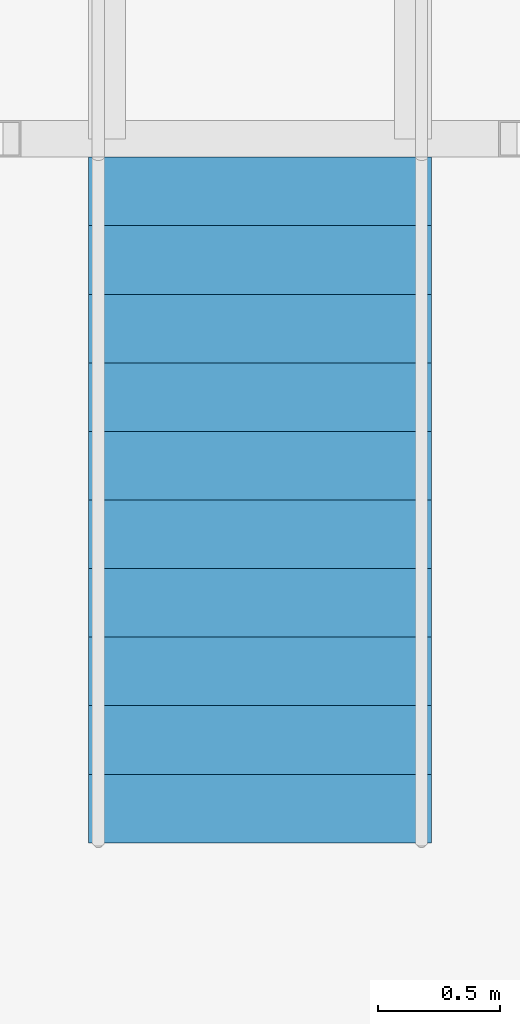
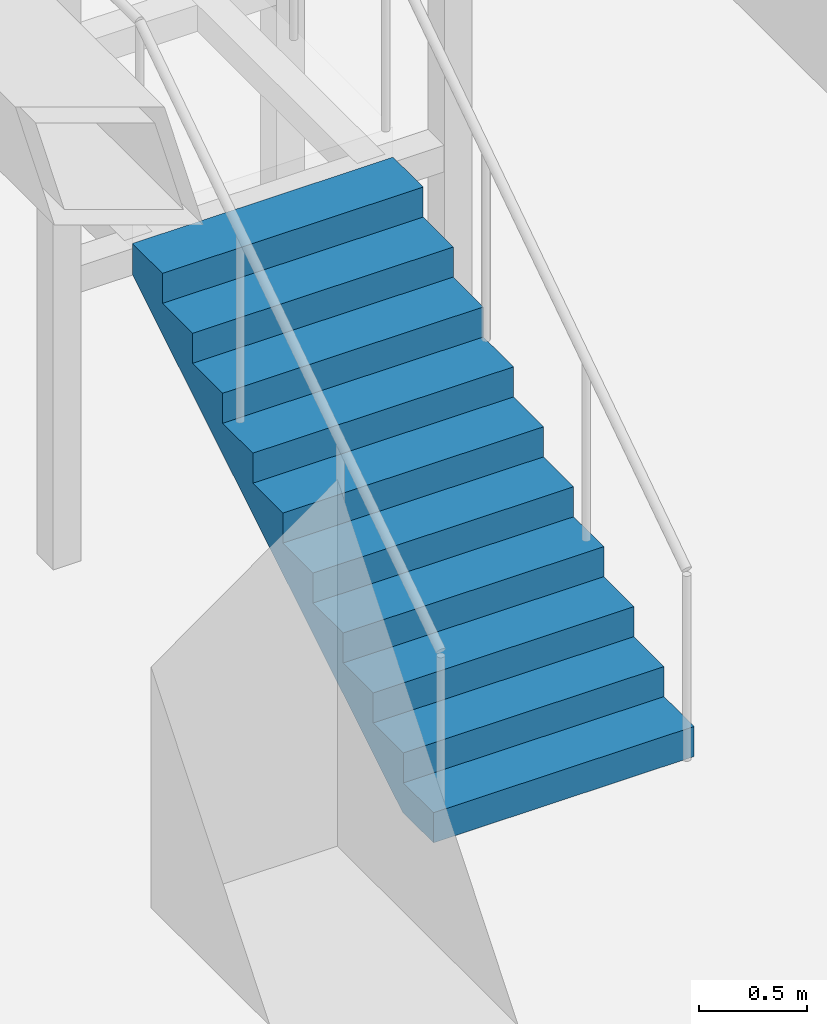
# One storey, part 24 of 26: 1 stair flight, 1 element without a shape of its own.
"""IFC4 building model written with IfcOpenShell, lengths in metres."""

from ifc_helpers import new_model, si_unit, direction, frame, origin, place, context, subcontext, project, spatial, triangles, material, type_object, element, aggregate, save


model = new_model("IFC4")

# Units and contexts
model_context = context("Model", 3, precision=1e-05, world=origin(), true_north=direction((0.0, 1.0)))
body_context = subcontext(model_context, "Body", "Model", "MODEL_VIEW")
ifc_project = project(units=[si_unit("LENGTHUNIT", "METRE"), si_unit("AREAUNIT", "SQUARE_METRE"), si_unit("VOLUMEUNIT", "CUBIC_METRE"), si_unit("PLANEANGLEUNIT", "RADIAN"), si_unit("MASSUNIT", "GRAM", prefix="KILO")], contexts=[model_context])

# Site, building, storey
site_placement = place(None, origin())
site = spatial("IfcSite", under=ifc_project, at=site_placement, CompositionType="ELEMENT")
building_placement = place(site_placement, origin())
building = spatial("IfcBuilding", under=site, at=building_placement, Name="Orbita Commons", CompositionType="ELEMENT")
storey_placement = place(building_placement, frame((0.0, 0.0, 114.39990234375)))
storey = spatial("IfcBuildingStorey", under=building, at=storey_placement, Name="L28", CompositionType="ELEMENT", Elevation=114.39990234375)

# Stair, stair flight
ifc_material_1 = material(Name="Steel ASTM A992 stringers, precast concrete C40/50 terrazzo treads", Category="concrete")
stair_type = type_object("IfcStairType", Name="Feature stair 22 risers 170 x 280 x 1400", PredefinedType="STRAIGHT_RUN_STAIR", material=ifc_material_1)
stair_placement = place(storey_placement, origin())
stair = element("IfcStair", 1, at=stair_placement, inside=storey, type_object=stair_type, Name="Neighbourhood stair L28 to L29", PredefinedType="STRAIGHT_RUN_STAIR")
ifc_material_2 = material(Name="Steel ASTM A992 stringers, precast concrete C40/50 terrazzo treads", Category="concrete")
stair_flight_type = type_object("IfcStairFlightType", Name="Feature stair flight 11 risers 170 x 1400", PredefinedType="STRAIGHT", material=ifc_material_2)
stair_flight_placement = place(storey_placement, frame((7.60009765625, 40.5, 0.0), z_axis=(0.0, 0.0, 1.0), x_axis=(0.0, 1.0, 0.0)))
stair_flight = element("IfcStairFlight", 2, at=stair_flight_placement, type_object=stair_flight_type, Name="FS flight 1", NumberOfRisers=11, NumberOfTreads=10, PredefinedType="STRAIGHT", RiserHeight=0.170454545, TreadLength=0.28, context=body_context, shape_type="Tessellation", body=[
    triangles([(0.0, 0.699951, 0.0), (0.0, 0.699951, 0.021307), (0.0, 0.583293, 0.021307), (0.0, 0.583293, 0.0), (0.0, 0.466634, 0.021307), (0.0, 0.466634, 0.0), (0.0, 0.349976, 0.021307), (0.0, 0.349976, 0.0), (0.0, 0.233317, 0.021307), (0.0, 0.233317, 0.0), (0.0, 0.116659, 0.021307), (0.0, 0.116659, 0.0), (0.0, 0.0, 0.021307), (0.0, 0.0, 0.0), (0.0, -0.116659, 0.021307), (0.0, -0.116659, 0.0), (0.0, -0.233317, 0.021307), (0.0, -0.233317, 0.0), (0.0, -0.349976, 0.021307), (0.0, -0.349976, 0.0), (0.0, -0.466634, 0.021307), (0.0, -0.466634, 0.0), (0.0, -0.583293, 0.021307), (0.0, -0.583293, 0.0), (0.0, -0.699951, 0.021307), (0.0, -0.699951, 0.0), (0.0, 0.699951, 0.042614), (0.0, 0.583293, 0.042614), (0.0, 0.466634, 0.042614), (0.0, 0.349976, 0.042614), (0.0, 0.233317, 0.042614), (0.0, 0.116659, 0.042614), (0.0, 0.0, 0.042614), (0.0, -0.116659, 0.042614), (0.0, -0.233317, 0.042614), (0.0, -0.349976, 0.042614), (0.0, -0.466634, 0.042614), (0.0, -0.583293, 0.042614), (0.0, -0.699951, 0.042614), (0.0, 0.699951, 0.06392), (0.0, 0.583293, 0.06392), (0.0, 0.466634, 0.06392), (0.0, 0.349976, 0.06392), (0.0, 0.233317, 0.06392), (0.0, 0.116659, 0.06392), (0.0, 0.0, 0.06392), (0.0, -0.116659, 0.06392), (0.0, -0.233317, 0.06392), (0.0, -0.349976, 0.06392), (0.0, -0.466634, 0.06392), (0.0, -0.583293, 0.06392), (0.0, -0.699951, 0.06392), (0.0, 0.699951, 0.085227), (0.0, 0.583293, 0.085227), (0.0, 0.466634, 0.085227), (0.0, 0.349976, 0.085227), (0.0, 0.233317, 0.085227), (0.0, 0.116659, 0.085227), (0.0, 0.0, 0.085227), (0.0, -0.116659, 0.085227), (0.0, -0.233317, 0.085227), (0.0, -0.349976, 0.085227), (0.0, -0.466634, 0.085227), (0.0, -0.583293, 0.085227), (0.0, -0.699951, 0.085227), (0.0, 0.699951, 0.106534), (0.0, 0.583293, 0.106534), (0.0, 0.466634, 0.106534), (0.0, 0.349976, 0.106534), (0.0, 0.233317, 0.106534), (0.0, 0.116659, 0.106534), (0.0, 0.0, 0.106534), (0.0, -0.116659, 0.106534), (0.0, -0.233317, 0.106534), (0.0, -0.349976, 0.106534), (0.0, -0.466634, 0.106534), (0.0, -0.583293, 0.106534), (0.0, -0.699951, 0.106534), (0.0, 0.699951, 0.127841), (0.0, 0.583293, 0.127841), (0.0, 0.466634, 0.127841), (0.0, 0.349976, 0.127841), (0.0, 0.233317, 0.127841), (0.0, 0.116659, 0.127841), (0.0, 0.0, 0.127841), (0.0, -0.116659, 0.127841), (0.0, -0.233317, 0.127841), (0.0, -0.349976, 0.127841), (0.0, -0.466634, 0.127841), (0.0, -0.583293, 0.127841), (0.0, -0.699951, 0.127841), (0.0, 0.699951, 0.149148), (0.0, 0.583293, 0.149148), (0.0, 0.466634, 0.149148), (0.0, 0.349976, 0.149148), (0.0, 0.233317, 0.149148), (0.0, 0.116659, 0.149148), (0.0, 0.0, 0.149148), (0.0, -0.116659, 0.149148), (0.0, -0.233317, 0.149148), (0.0, -0.349976, 0.149148), (0.0, -0.466634, 0.149148), (0.0, -0.583293, 0.149148), (0.0, -0.699951, 0.149148), (0.0, 0.699951, 0.170455), (0.0, 0.583293, 0.170455), (0.0, 0.466634, 0.170455), (0.0, 0.349976, 0.170455), (0.0, 0.233317, 0.170455), (0.0, 0.116659, 0.170455), (0.0, 0.0, 0.170455), (0.0, -0.116659, 0.170455), (0.0, -0.233317, 0.170455), (0.0, -0.349976, 0.170455), (0.0, -0.466634, 0.170455), (0.0, -0.583293, 0.170455), (0.0, -0.699951, 0.170455), (0.28, 0.699951, 0.170455), (0.28, 0.583293, 0.170455), (0.28, 0.466634, 0.170455), (0.28, 0.349976, 0.170455), (0.28, 0.233317, 0.170455), (0.28, 0.116659, 0.170455), (0.28, 0.0, 0.170455), (0.28, -0.116659, 0.170455), (0.28, -0.233317, 0.170455), (0.28, -0.349976, 0.170455), (0.28, -0.466634, 0.170455), (0.28, -0.583293, 0.170455), (0.28, -0.699951, 0.170455), (0.28, 0.699951, 0.340909), (0.28, 0.583293, 0.340909), (0.28, 0.466634, 0.340909), (0.28, 0.349976, 0.340909), (0.28, 0.233317, 0.340909), (0.28, 0.116659, 0.340909), (0.28, 0.0, 0.340909), (0.28, -0.116659, 0.340909), (0.28, -0.233317, 0.340909), (0.28, -0.349976, 0.340909), (0.28, -0.466634, 0.340909), (0.28, -0.583293, 0.340909), (0.28, -0.699951, 0.340909), (0.56, 0.699951, 0.340909), (0.56, 0.583293, 0.340909), (0.56, 0.466634, 0.340909), (0.56, 0.349976, 0.340909), (0.56, 0.233317, 0.340909), (0.56, 0.116659, 0.340909), (0.56, 0.0, 0.340909), (0.56, -0.116659, 0.340909), (0.56, -0.233317, 0.340909), (0.56, -0.349976, 0.340909), (0.56, -0.466634, 0.340909), (0.56, -0.583293, 0.340909), (0.56, -0.699951, 0.340909), (0.56, 0.699951, 0.511364), (0.56, 0.583293, 0.511364), (0.56, 0.466634, 0.511364), (0.56, 0.349976, 0.511364), (0.56, 0.233317, 0.511364), (0.56, 0.116659, 0.511364), (0.56, 0.0, 0.511364), (0.56, -0.116659, 0.511364), (0.56, -0.233317, 0.511364), (0.56, -0.349976, 0.511364), (0.56, -0.466634, 0.511364), (0.56, -0.583293, 0.511364), (0.56, -0.699951, 0.511364), (0.84, 0.699951, 0.511364), (0.84, 0.583293, 0.511364), (0.84, 0.466634, 0.511364), (0.84, 0.349976, 0.511364), (0.84, 0.233317, 0.511364), (0.84, 0.116659, 0.511364), (0.84, 0.0, 0.511364), (0.84, -0.116659, 0.511364), (0.84, -0.233317, 0.511364), (0.84, -0.349976, 0.511364), (0.84, -0.466634, 0.511364), (0.84, -0.583293, 0.511364), (0.84, -0.699951, 0.511364), (0.84, 0.699951, 0.681818), (0.84, 0.583293, 0.681818), (0.84, 0.466634, 0.681818), (0.84, 0.349976, 0.681818), (0.84, 0.233317, 0.681818), (0.84, 0.116659, 0.681818), (0.84, 0.0, 0.681818), (0.84, -0.116659, 0.681818), (0.84, -0.233317, 0.681818), (0.84, -0.349976, 0.681818), (0.84, -0.466634, 0.681818), (0.84, -0.583293, 0.681818), (0.84, -0.699951, 0.681818), (1.12, 0.699951, 0.681818), (1.12, 0.583293, 0.681818), (1.12, 0.466634, 0.681818), (1.12, 0.349976, 0.681818), (1.12, 0.233317, 0.681818), (1.12, 0.116659, 0.681818), (1.12, 0.0, 0.681818), (1.12, -0.116659, 0.681818), (1.12, -0.233317, 0.681818), (1.12, -0.349976, 0.681818), (1.12, -0.466634, 0.681818), (1.12, -0.583293, 0.681818), (1.12, -0.699951, 0.681818), (1.12, 0.699951, 0.852273), (1.12, 0.583293, 0.852273), (1.12, 0.466634, 0.852273), (1.12, 0.349976, 0.852273), (1.12, 0.233317, 0.852273), (1.12, 0.116659, 0.852273), (1.12, 0.0, 0.852273), (1.12, -0.116659, 0.852273), (1.12, -0.233317, 0.852273), (1.12, -0.349976, 0.852273), (1.12, -0.466634, 0.852273), (1.12, -0.583293, 0.852273), (1.12, -0.699951, 0.852273), (1.4, 0.699951, 0.852273), (1.4, 0.583293, 0.852273), (1.4, 0.466634, 0.852273), (1.4, 0.349976, 0.852273), (1.4, 0.233317, 0.852273), (1.4, 0.116659, 0.852273), (1.4, 0.0, 0.852273), (1.4, -0.116659, 0.852273), (1.4, -0.233317, 0.852273), (1.4, -0.349976, 0.852273), (1.4, -0.466634, 0.852273), (1.4, -0.583293, 0.852273), (1.4, -0.699951, 0.852273), (1.4, 0.699951, 1.022727), (1.4, 0.583293, 1.022727), (1.4, 0.466634, 1.022727), (1.4, 0.349976, 1.022727), (1.4, 0.233317, 1.022727), (1.4, 0.116659, 1.022727), (1.4, 0.0, 1.022727), (1.4, -0.116659, 1.022727), (1.4, -0.233317, 1.022727), (1.4, -0.349976, 1.022727), (1.4, -0.466634, 1.022727), (1.4, -0.583293, 1.022727), (1.4, -0.699951, 1.022727), (1.68, 0.699951, 1.022727), (1.68, 0.583293, 1.022727), (1.68, 0.466634, 1.022727), (1.68, 0.349976, 1.022727), (1.68, 0.233317, 1.022727), (1.68, 0.116659, 1.022727), (1.68, 0.0, 1.022727), (1.68, -0.116659, 1.022727), (1.68, -0.233317, 1.022727), (1.68, -0.349976, 1.022727), (1.68, -0.466634, 1.022727), (1.68, -0.583293, 1.022727), (1.68, -0.699951, 1.022727), (1.68, 0.699951, 1.193182), (1.68, 0.583293, 1.193182), (1.68, 0.466634, 1.193182), (1.68, 0.349976, 1.193182), (1.68, 0.233317, 1.193182), (1.68, 0.116659, 1.193182), (1.68, 0.0, 1.193182), (1.68, -0.116659, 1.193182), (1.68, -0.233317, 1.193182), (1.68, -0.349976, 1.193182), (1.68, -0.466634, 1.193182), (1.68, -0.583293, 1.193182), (1.68, -0.699951, 1.193182), (1.96, 0.699951, 1.193182), (1.96, 0.583293, 1.193182), (1.96, 0.466634, 1.193182), (1.96, 0.349976, 1.193182), (1.96, 0.233317, 1.193182), (1.96, 0.116659, 1.193182), (1.96, 0.0, 1.193182), (1.96, -0.116659, 1.193182), (1.96, -0.233317, 1.193182), (1.96, -0.349976, 1.193182), (1.96, -0.466634, 1.193182), (1.96, -0.583293, 1.193182), (1.96, -0.699951, 1.193182), (1.96, 0.699951, 1.363636), (1.96, 0.583293, 1.363636), (1.96, 0.466634, 1.363636), (1.96, 0.349976, 1.363636), (1.96, 0.233317, 1.363636), (1.96, 0.116659, 1.363636), (1.96, 0.0, 1.363636), (1.96, -0.116659, 1.363636), (1.96, -0.233317, 1.363636), (1.96, -0.349976, 1.363636), (1.96, -0.466634, 1.363636), (1.96, -0.583293, 1.363636), (1.96, -0.699951, 1.363636), (2.24, 0.699951, 1.363636), (2.24, 0.583293, 1.363636), (2.24, 0.466634, 1.363636), (2.24, 0.349976, 1.363636), (2.24, 0.233317, 1.363636), (2.24, 0.116659, 1.363636), (2.24, 0.0, 1.363636), (2.24, -0.116659, 1.363636), (2.24, -0.233317, 1.363636), (2.24, -0.349976, 1.363636), (2.24, -0.466634, 1.363636), (2.24, -0.583293, 1.363636), (2.24, -0.699951, 1.363636), (2.24, 0.699951, 1.534091), (2.24, 0.583293, 1.534091), (2.24, 0.466634, 1.534091), (2.24, 0.349976, 1.534091), (2.24, 0.233317, 1.534091), (2.24, 0.116659, 1.534091), (2.24, 0.0, 1.534091), (2.24, -0.116659, 1.534091), (2.24, -0.233317, 1.534091), (2.24, -0.349976, 1.534091), (2.24, -0.466634, 1.534091), (2.24, -0.583293, 1.534091), (2.24, -0.699951, 1.534091), (2.52, 0.699951, 1.534091), (2.52, 0.583293, 1.534091), (2.52, 0.466634, 1.534091), (2.52, 0.349976, 1.534091), (2.52, 0.233317, 1.534091), (2.52, 0.116659, 1.534091), (2.52, 0.0, 1.534091), (2.52, -0.116659, 1.534091), (2.52, -0.233317, 1.534091), (2.52, -0.349976, 1.534091), (2.52, -0.466634, 1.534091), (2.52, -0.583293, 1.534091), (2.52, -0.699951, 1.534091), (2.52, 0.699951, 1.704545), (2.52, 0.583293, 1.704545), (2.52, 0.466634, 1.704545), (2.52, 0.349976, 1.704545), (2.52, 0.233317, 1.704545), (2.52, 0.116659, 1.704545), (2.52, 0.0, 1.704545), (2.52, -0.116659, 1.704545), (2.52, -0.233317, 1.704545), (2.52, -0.349976, 1.704545), (2.52, -0.466634, 1.704545), (2.52, -0.583293, 1.704545), (2.52, -0.699951, 1.704545), (2.8, 0.699951, 1.704545), (2.8, 0.583293, 1.704545), (2.8, 0.466634, 1.704545), (2.8, 0.349976, 1.704545), (2.8, 0.233317, 1.704545), (2.8, 0.116659, 1.704545), (2.8, 0.0, 1.704545), (2.8, -0.116659, 1.704545), (2.8, -0.233317, 1.704545), (2.8, -0.349976, 1.704545), (2.8, -0.466634, 1.704545), (2.8, -0.583293, 1.704545), (2.8, -0.699951, 1.704545), (2.8, 0.699951, 1.682609), (2.8, 0.583293, 1.682609), (2.8, 0.466634, 1.682609), (2.8, 0.349976, 1.682609), (2.8, 0.233317, 1.682609), (2.8, 0.116659, 1.682609), (2.8, 0.0, 1.682609), (2.8, -0.116659, 1.682609), (2.8, -0.233317, 1.682609), (2.8, -0.349976, 1.682609), (2.8, -0.466634, 1.682609), (2.8, -0.583293, 1.682609), (2.8, -0.699951, 1.682609), (2.8, 0.699951, 1.660672), (2.8, 0.583293, 1.660672), (2.8, 0.466634, 1.660672), (2.8, 0.349976, 1.660672), (2.8, 0.233317, 1.660672), (2.8, 0.116659, 1.660672), (2.8, 0.0, 1.660672), (2.8, -0.116659, 1.660672), (2.8, -0.233317, 1.660672), (2.8, -0.349976, 1.660672), (2.8, -0.466634, 1.660672), (2.8, -0.583293, 1.660672), (2.8, -0.699951, 1.660672), (2.8, 0.699951, 1.638735), (2.8, 0.583293, 1.638735), (2.8, 0.466634, 1.638735), (2.8, 0.349976, 1.638735), (2.8, 0.233317, 1.638735), (2.8, 0.116659, 1.638735), (2.8, 0.0, 1.638735), (2.8, -0.116659, 1.638735), (2.8, -0.233317, 1.638735), (2.8, -0.349976, 1.638735), (2.8, -0.466634, 1.638735), (2.8, -0.583293, 1.638735), (2.8, -0.699951, 1.638735), (2.8, 0.699951, 1.616798), (2.8, 0.583293, 1.616798), (2.8, 0.466634, 1.616798), (2.8, 0.349976, 1.616798), (2.8, 0.233317, 1.616798), (2.8, 0.116659, 1.616798), (2.8, 0.0, 1.616798), (2.8, -0.116659, 1.616798), (2.8, -0.233317, 1.616798), (2.8, -0.349976, 1.616798), (2.8, -0.466634, 1.616798), (2.8, -0.583293, 1.616798), (2.8, -0.699951, 1.616798), (2.8, 0.699951, 1.594861), (2.8, 0.583293, 1.594861), (2.8, 0.466634, 1.594861), (2.8, 0.349976, 1.594861), (2.8, 0.233317, 1.594861), (2.8, 0.116659, 1.594861), (2.8, 0.0, 1.594861), (2.8, -0.116659, 1.594861), (2.8, -0.233317, 1.594861), (2.8, -0.349976, 1.594861), (2.8, -0.466634, 1.594861), (2.8, -0.583293, 1.594861), (2.8, -0.699951, 1.594861), (2.8, 0.699951, 1.572925), (2.8, 0.583293, 1.572925), (2.8, 0.466634, 1.572925), (2.8, 0.349976, 1.572925), (2.8, 0.233317, 1.572925), (2.8, 0.116659, 1.572925), (2.8, 0.0, 1.572925), (2.8, -0.116659, 1.572925), (2.8, -0.233317, 1.572925), (2.8, -0.349976, 1.572925), (2.8, -0.466634, 1.572925), (2.8, -0.583293, 1.572925), (2.8, -0.699951, 1.572925), (2.8, 0.699951, 1.550988), (2.8, 0.583293, 1.550988), (2.8, 0.466634, 1.550988), (2.8, 0.349976, 1.550988), (2.8, 0.233317, 1.550988), (2.8, 0.116659, 1.550988), (2.8, 0.0, 1.550988), (2.8, -0.116659, 1.550988), (2.8, -0.233317, 1.550988), (2.8, -0.349976, 1.550988), (2.8, -0.466634, 1.550988), (2.8, -0.583293, 1.550988), (2.8, -0.699951, 1.550988), (2.8, 0.699951, 1.529051), (2.8, 0.583293, 1.529051), (2.8, 0.466634, 1.529051), (2.8, 0.349976, 1.529051), (2.8, 0.233317, 1.529051), (2.8, 0.116659, 1.529051), (2.8, 0.0, 1.529051), (2.8, -0.116659, 1.529051), (2.8, -0.233317, 1.529051), (2.8, -0.349976, 1.529051), (2.8, -0.466634, 1.529051), (2.8, -0.583293, 1.529051), (2.8, -0.699951, 1.529051), (0.288279, 0.699951, 0.0), (0.288279, 0.583293, 0.0), (0.288279, 0.466634, 0.0), (0.288279, 0.349976, 0.0), (0.288279, 0.233317, 0.0), (0.288279, 0.116659, 0.0), (0.288279, 0.0, 0.0), (0.288279, -0.116659, 0.0), (0.288279, -0.233317, 0.0), (0.288279, -0.349976, 0.0), (0.288279, -0.466634, 0.0), (0.288279, -0.583293, 0.0), (0.288279, -0.699951, 0.0)], [[3, 2, 1], [4, 3, 1], [5, 3, 4], [6, 5, 4], [7, 5, 6], [8, 7, 6], [9, 7, 8], [10, 9, 8], [11, 9, 10], [12, 11, 10], [13, 11, 12], [14, 13, 12], [15, 13, 14], [16, 15, 14], [17, 15, 16], [18, 17, 16], [19, 17, 18], [20, 19, 18], [21, 19, 20], [22, 21, 20], [23, 21, 22], [24, 23, 22], [25, 23, 24], [26, 25, 24], [28, 27, 2], [3, 28, 2], [29, 28, 3], [5, 29, 3], [30, 29, 5], [7, 30, 5], [31, 30, 7], [9, 31, 7], [32, 31, 9], [11, 32, 9], [33, 32, 11], [13, 33, 11], [34, 33, 13], [15, 34, 13], [35, 34, 15], [17, 35, 15], [36, 35, 17], [19, 36, 17], [37, 36, 19], [21, 37, 19], [38, 37, 21], [23, 38, 21], [39, 38, 23], [25, 39, 23], [41, 40, 27], [28, 41, 27], [42, 41, 28], [29, 42, 28], [43, 42, 29], [30, 43, 29], [44, 43, 30], [31, 44, 30], [45, 44, 31], [32, 45, 31], [46, 45, 32], [33, 46, 32], [47, 46, 33], [34, 47, 33], [48, 47, 34], [35, 48, 34], [49, 48, 35], [36, 49, 35], [50, 49, 36], [37, 50, 36], [51, 50, 37], [38, 51, 37], [52, 51, 38], [39, 52, 38], [54, 53, 40], [41, 54, 40], [55, 54, 41], [42, 55, 41], [56, 55, 42], [43, 56, 42], [57, 56, 43], [44, 57, 43], [58, 57, 44], [45, 58, 44], [59, 58, 45], [46, 59, 45], [60, 59, 46], [47, 60, 46], [61, 60, 47], [48, 61, 47], [62, 61, 48], [49, 62, 48], [63, 62, 49], [50, 63, 49], [64, 63, 50], [51, 64, 50], [65, 64, 51], [52, 65, 51], [67, 66, 53], [54, 67, 53], [68, 67, 54], [55, 68, 54], [69, 68, 55], [56, 69, 55], [70, 69, 56], [57, 70, 56], [71, 70, 57], [58, 71, 57], [72, 71, 58], [59, 72, 58], [73, 72, 59], [60, 73, 59], [74, 73, 60], [61, 74, 60], [75, 74, 61], [62, 75, 61], [76, 75, 62], [63, 76, 62], [77, 76, 63], [64, 77, 63], [78, 77, 64], [65, 78, 64], [80, 79, 66], [67, 80, 66], [81, 80, 67], [68, 81, 67], [82, 81, 68], [69, 82, 68], [83, 82, 69], [70, 83, 69], [84, 83, 70], [71, 84, 70], [85, 84, 71], [72, 85, 71], [86, 85, 72], [73, 86, 72], [87, 86, 73], [74, 87, 73], [88, 87, 74], [75, 88, 74], [89, 88, 75], [76, 89, 75], [90, 89, 76], [77, 90, 76], [91, 90, 77], [78, 91, 77], [93, 92, 79], [80, 93, 79], [94, 93, 80], [81, 94, 80], [95, 94, 81], [82, 95, 81], [96, 95, 82], [83, 96, 82], [97, 96, 83], [84, 97, 83], [98, 97, 84], [85, 98, 84], [99, 98, 85], [86, 99, 85], [100, 99, 86], [87, 100, 86], [101, 100, 87], [88, 101, 87], [102, 101, 88], [89, 102, 88], [103, 102, 89], [90, 103, 89], [104, 103, 90], [91, 104, 90], [106, 105, 92], [93, 106, 92], [107, 106, 93], [94, 107, 93], [108, 107, 94], [95, 108, 94], [109, 108, 95], [96, 109, 95], [110, 109, 96], [97, 110, 96], [111, 110, 97], [98, 111, 97], [112, 111, 98], [99, 112, 98], [113, 112, 99], [100, 113, 99], [114, 113, 100], [101, 114, 100], [115, 114, 101], [102, 115, 101], [116, 115, 102], [103, 116, 102], [117, 116, 103], [104, 117, 103], [119, 118, 105], [106, 119, 105], [120, 119, 106], [107, 120, 106], [121, 120, 107], [108, 121, 107], [122, 121, 108], [109, 122, 108], [123, 122, 109], [110, 123, 109], [124, 123, 110], [111, 124, 110], [125, 124, 111], [112, 125, 111], [126, 125, 112], [113, 126, 112], [127, 126, 113], [114, 127, 113], [128, 127, 114], [115, 128, 114], [129, 128, 115], [116, 129, 115], [130, 129, 116], [117, 130, 116], [132, 131, 118], [119, 132, 118], [133, 132, 119], [120, 133, 119], [134, 133, 120], [121, 134, 120], [135, 134, 121], [122, 135, 121], [136, 135, 122], [123, 136, 122], [137, 136, 123], [124, 137, 123], [138, 137, 124], [125, 138, 124], [139, 138, 125], [126, 139, 125], [140, 139, 126], [127, 140, 126], [141, 140, 127], [128, 141, 127], [142, 141, 128], [129, 142, 128], [143, 142, 129], [130, 143, 129], [145, 144, 131], [132, 145, 131], [146, 145, 132], [133, 146, 132], [147, 146, 133], [134, 147, 133], [148, 147, 134], [135, 148, 134], [149, 148, 135], [136, 149, 135], [150, 149, 136], [137, 150, 136], [151, 150, 137], [138, 151, 137], [152, 151, 138], [139, 152, 138], [153, 152, 139], [140, 153, 139], [154, 153, 140], [141, 154, 140], [155, 154, 141], [142, 155, 141], [156, 155, 142], [143, 156, 142], [158, 157, 144], [145, 158, 144], [159, 158, 145], [146, 159, 145], [160, 159, 146], [147, 160, 146], [161, 160, 147], [148, 161, 147], [162, 161, 148], [149, 162, 148], [163, 162, 149], [150, 163, 149], [164, 163, 150], [151, 164, 150], [165, 164, 151], [152, 165, 151], [166, 165, 152], [153, 166, 152], [167, 166, 153], [154, 167, 153], [168, 167, 154], [155, 168, 154], [169, 168, 155], [156, 169, 155], [171, 170, 157], [158, 171, 157], [172, 171, 158], [159, 172, 158], [173, 172, 159], [160, 173, 159], [174, 173, 160], [161, 174, 160], [175, 174, 161], [162, 175, 161], [176, 175, 162], [163, 176, 162], [177, 176, 163], [164, 177, 163], [178, 177, 164], [165, 178, 164], [179, 178, 165], [166, 179, 165], [180, 179, 166], [167, 180, 166], [181, 180, 167], [168, 181, 167], [182, 181, 168], [169, 182, 168], [184, 183, 170], [171, 184, 170], [185, 184, 171], [172, 185, 171], [186, 185, 172], [173, 186, 172], [187, 186, 173], [174, 187, 173], [188, 187, 174], [175, 188, 174], [189, 188, 175], [176, 189, 175], [190, 189, 176], [177, 190, 176], [191, 190, 177], [178, 191, 177], [192, 191, 178], [179, 192, 178], [193, 192, 179], [180, 193, 179], [194, 193, 180], [181, 194, 180], [195, 194, 181], [182, 195, 181], [197, 196, 183], [184, 197, 183], [198, 197, 184], [185, 198, 184], [199, 198, 185], [186, 199, 185], [200, 199, 186], [187, 200, 186], [201, 200, 187], [188, 201, 187], [202, 201, 188], [189, 202, 188], [203, 202, 189], [190, 203, 189], [204, 203, 190], [191, 204, 190], [205, 204, 191], [192, 205, 191], [206, 205, 192], [193, 206, 192], [207, 206, 193], [194, 207, 193], [208, 207, 194], [195, 208, 194], [210, 209, 196], [197, 210, 196], [211, 210, 197], [198, 211, 197], [212, 211, 198], [199, 212, 198], [213, 212, 199], [200, 213, 199], [214, 213, 200], [201, 214, 200], [215, 214, 201], [202, 215, 201], [216, 215, 202], [203, 216, 202], [217, 216, 203], [204, 217, 203], [218, 217, 204], [205, 218, 204], [219, 218, 205], [206, 219, 205], [220, 219, 206], [207, 220, 206], [221, 220, 207], [208, 221, 207], [223, 222, 209], [210, 223, 209], [224, 223, 210], [211, 224, 210], [225, 224, 211], [212, 225, 211], [226, 225, 212], [213, 226, 212], [227, 226, 213], [214, 227, 213], [228, 227, 214], [215, 228, 214], [229, 228, 215], [216, 229, 215], [230, 229, 216], [217, 230, 216], [231, 230, 217], [218, 231, 217], [232, 231, 218], [219, 232, 218], [233, 232, 219], [220, 233, 219], [234, 233, 220], [221, 234, 220], [236, 235, 222], [223, 236, 222], [237, 236, 223], [224, 237, 223], [238, 237, 224], [225, 238, 224], [239, 238, 225], [226, 239, 225], [240, 239, 226], [227, 240, 226], [241, 240, 227], [228, 241, 227], [242, 241, 228], [229, 242, 228], [243, 242, 229], [230, 243, 229], [244, 243, 230], [231, 244, 230], [245, 244, 231], [232, 245, 231], [246, 245, 232], [233, 246, 232], [247, 246, 233], [234, 247, 233], [249, 248, 235], [236, 249, 235], [250, 249, 236], [237, 250, 236], [251, 250, 237], [238, 251, 237], [252, 251, 238], [239, 252, 238], [253, 252, 239], [240, 253, 239], [254, 253, 240], [241, 254, 240], [255, 254, 241], [242, 255, 241], [256, 255, 242], [243, 256, 242], [257, 256, 243], [244, 257, 243], [258, 257, 244], [245, 258, 244], [259, 258, 245], [246, 259, 245], [260, 259, 246], [247, 260, 246], [262, 261, 248], [249, 262, 248], [263, 262, 249], [250, 263, 249], [264, 263, 250], [251, 264, 250], [265, 264, 251], [252, 265, 251], [266, 265, 252], [253, 266, 252], [267, 266, 253], [254, 267, 253], [268, 267, 254], [255, 268, 254], [269, 268, 255], [256, 269, 255], [270, 269, 256], [257, 270, 256], [271, 270, 257], [258, 271, 257], [272, 271, 258], [259, 272, 258], [273, 272, 259], [260, 273, 259], [275, 274, 261], [262, 275, 261], [276, 275, 262], [263, 276, 262], [277, 276, 263], [264, 277, 263], [278, 277, 264], [265, 278, 264], [279, 278, 265], [266, 279, 265], [280, 279, 266], [267, 280, 266], [281, 280, 267], [268, 281, 267], [282, 281, 268], [269, 282, 268], [283, 282, 269], [270, 283, 269], [284, 283, 270], [271, 284, 270], [285, 284, 271], [272, 285, 271], [286, 285, 272], [273, 286, 272], [288, 287, 274], [275, 288, 274], [289, 288, 275], [276, 289, 275], [290, 289, 276], [277, 290, 276], [291, 290, 277], [278, 291, 277], [292, 291, 278], [279, 292, 278], [293, 292, 279], [280, 293, 279], [294, 293, 280], [281, 294, 280], [295, 294, 281], [282, 295, 281], [296, 295, 282], [283, 296, 282], [297, 296, 283], [284, 297, 283], [298, 297, 284], [285, 298, 284], [299, 298, 285], [286, 299, 285], [301, 300, 287], [288, 301, 287], [302, 301, 288], [289, 302, 288], [303, 302, 289], [290, 303, 289], [304, 303, 290], [291, 304, 290], [305, 304, 291], [292, 305, 291], [306, 305, 292], [293, 306, 292], [307, 306, 293], [294, 307, 293], [308, 307, 294], [295, 308, 294], [309, 308, 295], [296, 309, 295], [310, 309, 296], [297, 310, 296], [311, 310, 297], [298, 311, 297], [312, 311, 298], [299, 312, 298], [314, 313, 300], [301, 314, 300], [315, 314, 301], [302, 315, 301], [316, 315, 302], [303, 316, 302], [317, 316, 303], [304, 317, 303], [318, 317, 304], [305, 318, 304], [319, 318, 305], [306, 319, 305], [320, 319, 306], [307, 320, 306], [321, 320, 307], [308, 321, 307], [322, 321, 308], [309, 322, 308], [323, 322, 309], [310, 323, 309], [324, 323, 310], [311, 324, 310], [325, 324, 311], [312, 325, 311], [327, 326, 313], [314, 327, 313], [328, 327, 314], [315, 328, 314], [329, 328, 315], [316, 329, 315], [330, 329, 316], [317, 330, 316], [331, 330, 317], [318, 331, 317], [332, 331, 318], [319, 332, 318], [333, 332, 319], [320, 333, 319], [334, 333, 320], [321, 334, 320], [335, 334, 321], [322, 335, 321], [336, 335, 322], [323, 336, 322], [337, 336, 323], [324, 337, 323], [338, 337, 324], [325, 338, 324], [340, 339, 326], [327, 340, 326], [341, 340, 327], [328, 341, 327], [342, 341, 328], [329, 342, 328], [343, 342, 329], [330, 343, 329], [344, 343, 330], [331, 344, 330], [345, 344, 331], [332, 345, 331], [346, 345, 332], [333, 346, 332], [347, 346, 333], [334, 347, 333], [348, 347, 334], [335, 348, 334], [349, 348, 335], [336, 349, 335], [350, 349, 336], [337, 350, 336], [351, 350, 337], [338, 351, 337], [353, 352, 339], [340, 353, 339], [354, 353, 340], [341, 354, 340], [355, 354, 341], [342, 355, 341], [356, 355, 342], [343, 356, 342], [357, 356, 343], [344, 357, 343], [358, 357, 344], [345, 358, 344], [359, 358, 345], [346, 359, 345], [360, 359, 346], [347, 360, 346], [361, 360, 347], [348, 361, 347], [362, 361, 348], [349, 362, 348], [363, 362, 349], [350, 363, 349], [364, 363, 350], [351, 364, 350], [366, 365, 352], [353, 366, 352], [367, 366, 353], [354, 367, 353], [368, 367, 354], [355, 368, 354], [369, 368, 355], [356, 369, 355], [370, 369, 356], [357, 370, 356], [371, 370, 357], [358, 371, 357], [372, 371, 358], [359, 372, 358], [373, 372, 359], [360, 373, 359], [374, 373, 360], [361, 374, 360], [375, 374, 361], [362, 375, 361], [376, 375, 362], [363, 376, 362], [377, 376, 363], [364, 377, 363], [379, 378, 365], [366, 379, 365], [380, 379, 366], [367, 380, 366], [381, 380, 367], [368, 381, 367], [382, 381, 368], [369, 382, 368], [383, 382, 369], [370, 383, 369], [384, 383, 370], [371, 384, 370], [385, 384, 371], [372, 385, 371], [386, 385, 372], [373, 386, 372], [387, 386, 373], [374, 387, 373], [388, 387, 374], [375, 388, 374], [389, 388, 375], [376, 389, 375], [390, 389, 376], [377, 390, 376], [392, 391, 378], [379, 392, 378], [393, 392, 379], [380, 393, 379], [394, 393, 380], [381, 394, 380], [395, 394, 381], [382, 395, 381], [396, 395, 382], [383, 396, 382], [397, 396, 383], [384, 397, 383], [398, 397, 384], [385, 398, 384], [399, 398, 385], [386, 399, 385], [400, 399, 386], [387, 400, 386], [401, 400, 387], [388, 401, 387], [402, 401, 388], [389, 402, 388], [403, 402, 389], [390, 403, 389], [405, 404, 391], [392, 405, 391], [406, 405, 392], [393, 406, 392], [407, 406, 393], [394, 407, 393], [408, 407, 394], [395, 408, 394], [409, 408, 395], [396, 409, 395], [410, 409, 396], [397, 410, 396], [411, 410, 397], [398, 411, 397], [412, 411, 398], [399, 412, 398], [413, 412, 399], [400, 413, 399], [414, 413, 400], [401, 414, 400], [415, 414, 401], [402, 415, 401], [416, 415, 402], [403, 416, 402], [418, 417, 404], [405, 418, 404], [419, 418, 405], [406, 419, 405], [420, 419, 406], [407, 420, 406], [421, 420, 407], [408, 421, 407], [422, 421, 408], [409, 422, 408], [423, 422, 409], [410, 423, 409], [424, 423, 410], [411, 424, 410], [425, 424, 411], [412, 425, 411], [426, 425, 412], [413, 426, 412], [427, 426, 413], [414, 427, 413], [428, 427, 414], [415, 428, 414], [429, 428, 415], [416, 429, 415], [431, 430, 417], [418, 431, 417], [432, 431, 418], [419, 432, 418], [433, 432, 419], [420, 433, 419], [434, 433, 420], [421, 434, 420], [435, 434, 421], [422, 435, 421], [436, 435, 422], [423, 436, 422], [437, 436, 423], [424, 437, 423], [438, 437, 424], [425, 438, 424], [439, 438, 425], [426, 439, 425], [440, 439, 426], [427, 440, 426], [441, 440, 427], [428, 441, 427], [442, 441, 428], [429, 442, 428], [444, 443, 430], [431, 444, 430], [445, 444, 431], [432, 445, 431], [446, 445, 432], [433, 446, 432], [447, 446, 433], [434, 447, 433], [448, 447, 434], [435, 448, 434], [449, 448, 435], [436, 449, 435], [450, 449, 436], [437, 450, 436], [451, 450, 437], [438, 451, 437], [452, 451, 438], [439, 452, 438], [453, 452, 439], [440, 453, 439], [454, 453, 440], [441, 454, 440], [455, 454, 441], [442, 455, 441], [457, 456, 443], [444, 457, 443], [458, 457, 444], [445, 458, 444], [459, 458, 445], [446, 459, 445], [460, 459, 446], [447, 460, 446], [461, 460, 447], [448, 461, 447], [462, 461, 448], [449, 462, 448], [463, 462, 449], [450, 463, 449], [464, 463, 450], [451, 464, 450], [465, 464, 451], [452, 465, 451], [466, 465, 452], [453, 466, 452], [467, 466, 453], [454, 467, 453], [468, 467, 454], [455, 468, 454], [470, 469, 456], [457, 470, 456], [471, 470, 457], [458, 471, 457], [472, 471, 458], [459, 472, 458], [473, 472, 459], [460, 473, 459], [474, 473, 460], [461, 474, 460], [475, 474, 461], [462, 475, 461], [476, 475, 462], [463, 476, 462], [477, 476, 463], [464, 477, 463], [478, 477, 464], [465, 478, 464], [479, 478, 465], [466, 479, 465], [480, 479, 466], [467, 480, 466], [481, 480, 467], [468, 481, 467], [4, 1, 469], [470, 4, 469], [6, 4, 470], [471, 6, 470], [8, 6, 471], [472, 8, 471], [10, 8, 472], [473, 10, 472], [12, 10, 473], [474, 12, 473], [14, 12, 474], [475, 14, 474], [16, 14, 475], [476, 16, 475], [18, 16, 476], [477, 18, 476], [20, 18, 477], [478, 20, 477], [22, 20, 478], [479, 22, 478], [24, 22, 479], [480, 24, 479], [26, 24, 480], [481, 26, 480], [456, 469, 1], [26, 481, 468], [443, 456, 1], [26, 468, 455], [430, 443, 1], [26, 455, 442], [417, 430, 1], [26, 442, 429], [404, 417, 1], [26, 429, 416], [391, 404, 1], [26, 416, 403], [378, 391, 1], [26, 403, 390], [365, 378, 1], [26, 390, 377], [339, 352, 365], [377, 364, 351], [326, 339, 365], [377, 351, 338], [300, 313, 326], [338, 325, 312], [300, 326, 365], [377, 338, 312], [274, 287, 300], [312, 299, 286], [274, 300, 365], [377, 312, 286], [248, 261, 274], [286, 273, 260], [248, 274, 365], [377, 286, 260], [222, 235, 248], [260, 247, 234], [222, 248, 365], [377, 260, 234], [196, 209, 222], [234, 221, 208], [196, 222, 365], [377, 234, 208], [170, 183, 196], [208, 195, 182], [170, 196, 365], [377, 208, 182], [144, 157, 170], [182, 169, 156], [144, 170, 365], [377, 182, 156], [118, 131, 144], [156, 143, 130], [118, 144, 365], [377, 156, 130], [118, 365, 1], [26, 377, 130], [92, 105, 118], [130, 117, 104], [79, 92, 118], [130, 104, 91], [66, 79, 118], [130, 91, 78], [53, 66, 118], [130, 78, 65], [40, 53, 118], [130, 65, 52], [27, 40, 118], [130, 52, 39], [2, 27, 118], [130, 39, 25], [1, 2, 118], [130, 25, 26]], closed=True),
])
aggregate(stair, [stair_flight])

save(model, "model.ifc")
